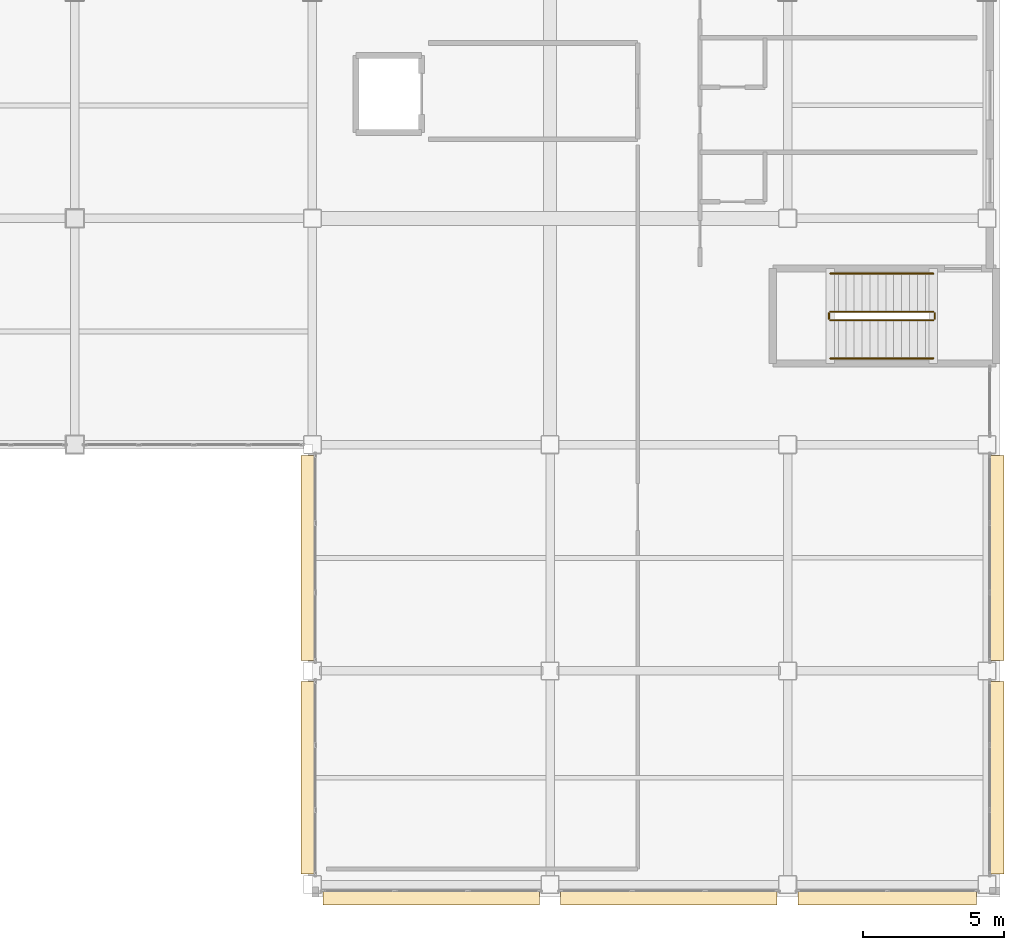
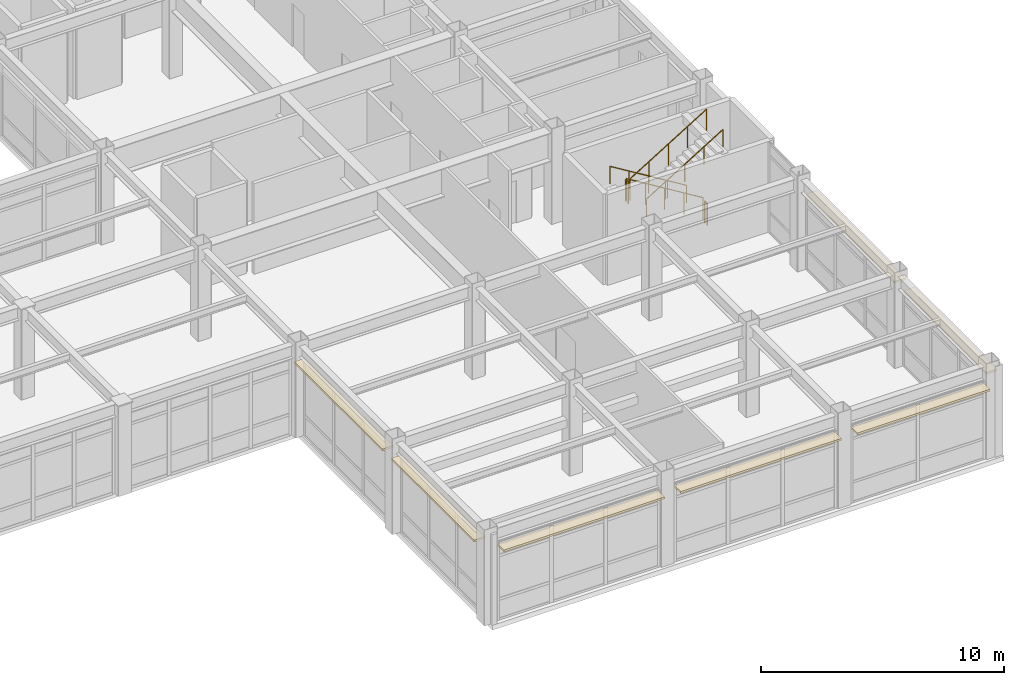
# One storey, part 90 of 93: 7 coverings, 6 railings.
"""IFC4 building model written with IfcOpenShell, lengths in metres."""

from ifc_helpers import new_model, si_unit, direction, frame, origin, origin_2d, place, context, subcontext, project, spatial, rectangle, circle, extrude, material, layer, layer_set, type_object, element, save


model = new_model("IFC4")

# Units and contexts
model_context = context("Model", 3, precision=1e-05, world=origin(), true_north=direction((0.0, 1.0)))
body_context = subcontext(model_context, "Body", "Model", "MODEL_VIEW")
ifc_project = project(units=[si_unit("LENGTHUNIT", "METRE"), si_unit("AREAUNIT", "SQUARE_METRE"), si_unit("VOLUMEUNIT", "CUBIC_METRE"), si_unit("PLANEANGLEUNIT", "RADIAN"), si_unit("MASSUNIT", "GRAM", prefix="KILO")], contexts=[model_context])

# Site, building, storey
site_placement = place(None, origin())
site = spatial("IfcSite", under=ifc_project, at=site_placement, CompositionType="ELEMENT")
building_placement = place(site_placement, origin())
building = spatial("IfcBuilding", under=site, at=building_placement, Name="Kazehara Bluff Congress Hotel", CompositionType="ELEMENT")
storey_placement = place(building_placement, frame((0.0, 0.0, 15.0)))
storey = spatial("IfcBuildingStorey", under=building, at=storey_placement, Name="L03", CompositionType="ELEMENT", Elevation=15.0)

# Coverings
ifc_material_1 = material(Name="Anodised aluminium architectural brise-soleil", Category="aluminium")
ifc_layer = layer(ifc_material_1, 0.10009765625)
ifc_layer_set = layer_set([ifc_layer], Name="Anodised aluminium architectural brise-soleil")
covering_type = type_object("IfcCoveringType", Name="TP-FAC-FIN", PredefinedType="CLADDING", material=ifc_layer_set)
for number, where, z_axis, x_axis, name in (
    (1, (147.89990234375, -0.02001953125, 3.71484375), (0.0, 0.0, 1.0), (1.0, 0.0, 0.0), "L03 V5 architectural sun-hood 151"),
    (2, (156.300048828125, -0.02001953125, 3.71484375), (0.0, 0.0, 1.0), (1.0, 0.0, 0.0), "L03 V5 architectural sun-hood 152"),
):
    element("IfcCovering", number, at=place(storey_placement, frame(where, z_axis=z_axis, x_axis=x_axis)), inside=storey, type_object=covering_type, Name=name, PredefinedType="CLADDING", context=body_context, shape_type="SweptSolid", body=[
        extrude(rectangle(XDim=7.64990234375, YDim=0.52001953125, at=origin_2d()), origin(), (0.0, 0.0, 1.0), 0.10009765625),
    ])
covering_1_placement = place(storey_placement, frame((164.02490234375, -0.02001953125, 3.71484375), z_axis=(0.0, 0.0, 1.0), x_axis=(1.0, 0.0, 0.0)))
element("IfcCovering", 3, at=covering_1_placement, inside=storey, type_object=covering_type, Name="L03 V5 architectural sun-hood 153", PredefinedType="CLADDING", context=body_context, shape_type="SweptSolid", body=[
    extrude(rectangle(XDim=6.300048828125, YDim=0.52001953125, at=origin_2d()), origin(), (0.0, 0.0, 1.0), 0.10009765625),
])
covering_2_placement = place(storey_placement, frame((167.889892578125, 4.22509765625, 3.71484375), z_axis=(0.0, 0.0, 1.0), x_axis=(1.0, 0.0, 0.0)))
element("IfcCovering", 4, at=covering_2_placement, inside=storey, type_object=covering_type, Name="L03 V5 architectural sun-hood 154", PredefinedType="CLADDING", context=body_context, shape_type="SweptSolid", body=[
    extrude(rectangle(XDim=0.52001953125, YDim=6.800048828125, at=origin_2d()), origin(), (0.0, 0.0, 1.0), 0.10009765625),
])
covering_3_placement = place(storey_placement, frame((167.889892578125, 12.0, 3.71484375), z_axis=(0.0, 0.0, 1.0), x_axis=(1.0, 0.0, 0.0)))
element("IfcCovering", 5, at=covering_3_placement, inside=storey, type_object=covering_type, Name="L03 V5 architectural sun-hood 155", PredefinedType="CLADDING", context=body_context, shape_type="SweptSolid", body=[
    extrude(rectangle(XDim=0.52001953125, YDim=7.25, at=origin_2d()), origin(), (0.0, 0.0, 1.0), 0.10009765625),
])
covering_4_placement = place(storey_placement, frame((143.56005859375, 4.22509765625, 3.81494140625), z_axis=(0.0, 0.0, 1.0), x_axis=(1.0, 0.0, 0.0)))
element("IfcCovering", 6, at=covering_4_placement, inside=storey, type_object=covering_type, Name="L03 V5 architectural sun-hood 171", PredefinedType="CLADDING", context=body_context, shape_type="SweptSolid", body=[
    extrude(rectangle(XDim=0.52001953125, YDim=6.800048828125, at=origin_2d()), origin(), (0.0, 0.0, 1.0), 0.10009765625),
])
covering_5_placement = place(storey_placement, frame((143.56005859375, 12.0, 3.81494140625), z_axis=(0.0, 0.0, 1.0), x_axis=(1.0, 0.0, 0.0)))
element("IfcCovering", 7, at=covering_5_placement, inside=storey, type_object=covering_type, Name="L03 V5 architectural sun-hood 172", PredefinedType="CLADDING", context=body_context, shape_type="SweptSolid", body=[
    extrude(rectangle(XDim=0.52001953125, YDim=7.25, at=origin_2d()), origin(), (0.0, 0.0, 1.0), 0.10009765625),
])

# Railings
ifc_material_2 = material(Name="Brushed stainless steel", Category="steel")
railing_type_1 = type_object("IfcRailingType", Name="TP-GRD-INT", PredefinedType="GUARDRAIL", material=ifc_material_2)
railing_1_placement = place(storey_placement, frame((165.64990234375, 20.699951171875, 0.17138671875)))
element("IfcRailing", 8, at=railing_1_placement, inside=storey, type_object=railing_type_1, Name="L03 ST-10 stair guard 1", PredefinedType="GUARDRAIL", context=body_context, shape_type="SweptSolid", body=[
    extrude(circle(Radius=0.02392578125, at=origin_2d()), frame((0.0, 0.0, 1.076171875), z_axis=(-0.852850264322, 0.0, 0.5221555579), x_axis=(0.0, -1.0, 0.0)), (0.0, 0.0, 1.0), 4.267822265625),
    extrude(circle(Radius=0.02099609375, at=origin_2d()), origin(), (0.0, 0.0, 1.0), 1.052001953125),
    extrude(circle(Radius=0.02099609375, at=origin_2d()), frame((-0.909912109375, 0.0, 0.55712890625)), (0.0, 0.0, 1.0), 1.052001953125),
    extrude(circle(Radius=0.02099609375, at=origin_2d()), frame((-1.81982421875, 0.0, 1.1142578125)), (0.0, 0.0, 1.0), 1.052001953125),
    extrude(circle(Radius=0.02099609375, at=origin_2d()), frame((-2.72998046875, 0.0, 1.67138671875)), (0.0, 0.0, 1.0), 1.052001953125),
    extrude(circle(Radius=0.02099609375, at=origin_2d()), frame((-3.639892578125, 0.0, 2.228515625)), (0.0, 0.0, 1.0), 1.052001953125),
])
railing_2_placement = place(storey_placement, frame((161.9599609375, 20.64990234375, 2.39990234375)))
element("IfcRailing", 9, at=railing_2_placement, inside=storey, type_object=railing_type_1, Name="L03 ST-10 stair guard 2", PredefinedType="GUARDRAIL", context=body_context, shape_type="SweptSolid", body=[
    extrude(circle(Radius=0.02392578125, at=origin_2d()), frame((0.0, 0.0, 1.076171875), z_axis=(0.0, -1.0, 0.0), x_axis=(1.0, 0.0, 0.0)), (0.0, 0.0, 1.0), 0.199951171875),
    extrude(circle(Radius=0.02099609375, at=origin_2d()), origin(), (0.0, 0.0, 1.0), 1.052001953125),
    extrude(circle(Radius=0.02099609375, at=origin_2d()), frame((0.0, -0.199951171875, 0.0)), (0.0, 0.0, 1.0), 1.052001953125),
])
railing_3_placement = place(storey_placement, frame((162.010009765625, 20.39990234375, 2.571533203125)))
element("IfcRailing", 10, at=railing_3_placement, inside=storey, type_object=railing_type_1, Name="L03 ST-10 stair guard 3", PredefinedType="GUARDRAIL", context=body_context, shape_type="SweptSolid", body=[
    extrude(circle(Radius=0.02392578125, at=origin_2d()), frame((0.0, 0.0, 1.076171875), z_axis=(0.852850264322, 0.0, 0.5221555579), x_axis=(0.0, 1.0, 0.0)), (0.0, 0.0, 1.0), 4.267822265625),
    extrude(circle(Radius=0.02099609375, at=origin_2d()), origin(), (0.0, 0.0, 1.0), 1.052001953125),
    extrude(circle(Radius=0.02099609375, at=origin_2d()), frame((0.909912109375, 0.0, 0.55712890625)), (0.0, 0.0, 1.0), 1.052001953125),
    extrude(circle(Radius=0.02099609375, at=origin_2d()), frame((1.81982421875, 0.0, 1.1142578125)), (0.0, 0.0, 1.0), 1.052001953125),
    extrude(circle(Radius=0.02099609375, at=origin_2d()), frame((2.72998046875, 0.0, 1.67138671875)), (0.0, 0.0, 1.0), 1.052001953125),
    extrude(circle(Radius=0.02099609375, at=origin_2d()), frame((3.639892578125, 0.0, 2.228515625)), (0.0, 0.0, 1.0), 1.052001953125),
])
railing_4_placement = place(storey_placement, frame((165.699951171875, 20.64990234375, 0.0)))
element("IfcRailing", 11, at=railing_4_placement, inside=storey, type_object=railing_type_1, Name="L03 ST-10 stair guard 4", PredefinedType="GUARDRAIL", context=body_context, shape_type="SweptSolid", body=[
    extrude(circle(Radius=0.02392578125, at=origin_2d()), frame((0.0, 0.0, 1.076171875), z_axis=(0.0, -1.0, 0.0), x_axis=(1.0, 0.0, 0.0)), (0.0, 0.0, 1.0), 0.199951171875),
    extrude(circle(Radius=0.02099609375, at=origin_2d()), origin(), (0.0, 0.0, 1.0), 1.052001953125),
    extrude(circle(Radius=0.02099609375, at=origin_2d()), frame((0.0, -0.199951171875, 0.0)), (0.0, 0.0, 1.0), 1.052001953125),
])
ifc_material_3 = material(Name="Brushed stainless steel", Category="steel")
railing_type_2 = type_object("IfcRailingType", Name="TP-HR-INT", PredefinedType="HANDRAIL", material=ifc_material_3)
railing_5_placement = place(storey_placement, frame((165.64990234375, 22.050048828125, 0.17138671875)))
element("IfcRailing", 12, at=railing_5_placement, inside=storey, type_object=railing_type_2, Name="L03 ST-10 stair handrail 1", PredefinedType="HANDRAIL", context=body_context, shape_type="SweptSolid", body=[
    extrude(circle(Radius=0.02392578125, at=origin_2d()), frame((0.0, 0.0, 0.8759765625), z_axis=(-0.852850264322, 0.0, 0.5221555579), x_axis=(0.0, -1.0, 0.0)), (0.0, 0.0, 1.0), 4.267822265625),
    extrude(circle(Radius=0.02099609375, at=origin_2d()), origin(), (0.0, 0.0, 1.0), 0.851806640625),
    extrude(circle(Radius=0.02099609375, at=origin_2d()), frame((-0.909912109375, 0.0, 0.55712890625)), (0.0, 0.0, 1.0), 0.851806640625),
    extrude(circle(Radius=0.02099609375, at=origin_2d()), frame((-1.81982421875, 0.0, 1.1142578125)), (0.0, 0.0, 1.0), 0.851806640625),
    extrude(circle(Radius=0.02099609375, at=origin_2d()), frame((-2.72998046875, 0.0, 1.67138671875)), (0.0, 0.0, 1.0), 0.851806640625),
    extrude(circle(Radius=0.02099609375, at=origin_2d()), frame((-3.639892578125, 0.0, 2.228515625)), (0.0, 0.0, 1.0), 0.851806640625),
])
railing_6_placement = place(storey_placement, frame((162.010009765625, 19.050048828125, 2.571533203125)))
element("IfcRailing", 13, at=railing_6_placement, inside=storey, type_object=railing_type_2, Name="L03 ST-10 stair handrail 2", PredefinedType="HANDRAIL", context=body_context, shape_type="SweptSolid", body=[
    extrude(circle(Radius=0.02392578125, at=origin_2d()), frame((0.0, 0.0, 0.8759765625), z_axis=(0.852850264322, 0.0, 0.5221555579), x_axis=(0.0, 1.0, 0.0)), (0.0, 0.0, 1.0), 4.267822265625),
    extrude(circle(Radius=0.02099609375, at=origin_2d()), origin(), (0.0, 0.0, 1.0), 0.851806640625),
    extrude(circle(Radius=0.02099609375, at=origin_2d()), frame((0.909912109375, 0.0, 0.55712890625)), (0.0, 0.0, 1.0), 0.851806640625),
    extrude(circle(Radius=0.02099609375, at=origin_2d()), frame((1.81982421875, 0.0, 1.1142578125)), (0.0, 0.0, 1.0), 0.851806640625),
    extrude(circle(Radius=0.02099609375, at=origin_2d()), frame((2.72998046875, 0.0, 1.67138671875)), (0.0, 0.0, 1.0), 0.851806640625),
    extrude(circle(Radius=0.02099609375, at=origin_2d()), frame((3.639892578125, 0.0, 2.228515625)), (0.0, 0.0, 1.0), 0.851806640625),
])

save(model, "model.ifc")
